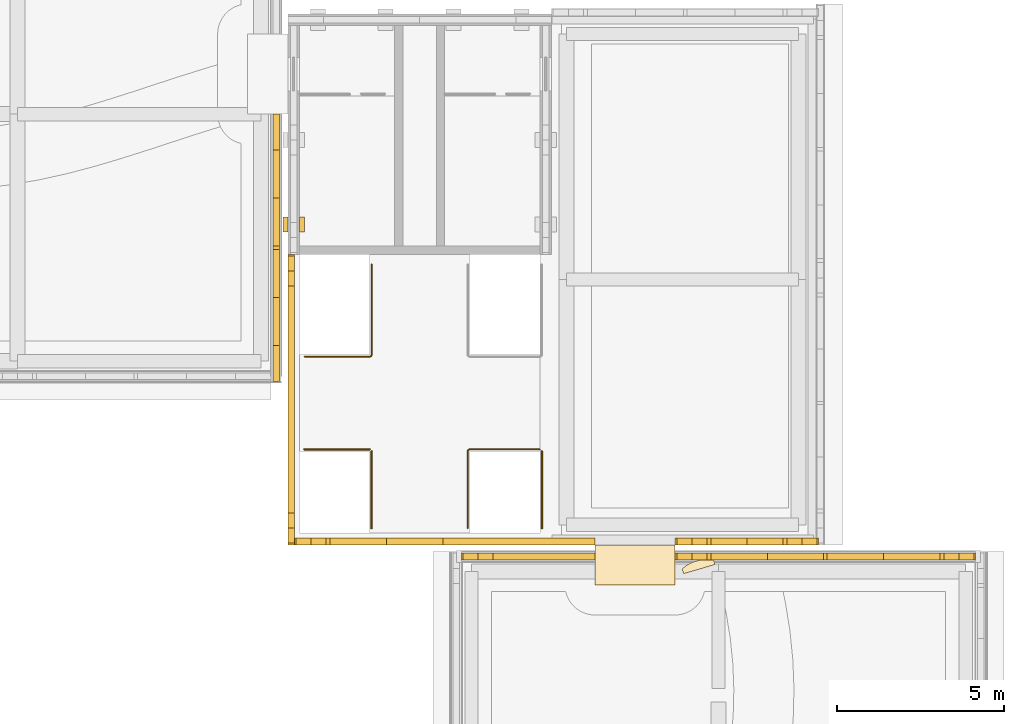
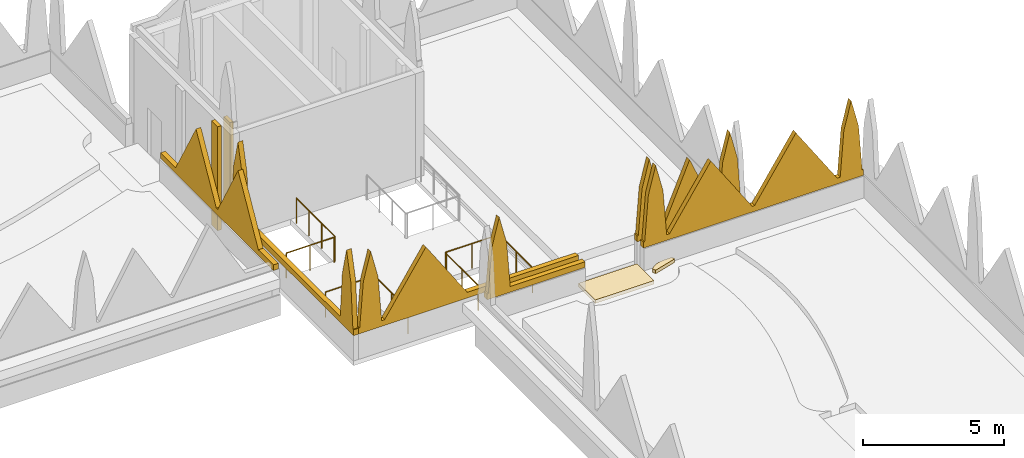
# One storey, part 42 of 46: 10 coverings, 5 railings.
"""IFC4 building model written with IfcOpenShell, lengths in metres."""

from ifc_helpers import new_model, si_unit, direction, frame, frame_2d, origin, origin_2d, place, context, subcontext, project, spatial, polyline, rectangle, circle, outline, extrude, material, layer, layer_set, type_object, element, save


model = new_model("IFC4")

# Units and contexts
model_context = context("Model", 3, precision=1e-05, world=origin(), true_north=direction((0.0, 1.0)))
body_context = subcontext(model_context, "Body", "Model", "MODEL_VIEW")
ifc_project = project(units=[si_unit("LENGTHUNIT", "METRE"), si_unit("AREAUNIT", "SQUARE_METRE"), si_unit("VOLUMEUNIT", "CUBIC_METRE"), si_unit("PLANEANGLEUNIT", "RADIAN"), si_unit("MASSUNIT", "GRAM", prefix="KILO")], contexts=[model_context])

# Site, building, storey
site_placement = place(None, origin())
site = spatial("IfcSite", under=ifc_project, at=site_placement, CompositionType="ELEMENT")
building_placement = place(site_placement, origin())
building = spatial("IfcBuilding", under=site, at=building_placement, Name="Lantern Court Media Centre", CompositionType="ELEMENT")
storey_placement = place(building_placement, frame((0.0, 0.0, 28.800048828125)))
storey = spatial("IfcBuildingStorey", under=building, at=storey_placement, Name="L06", CompositionType="ELEMENT", Elevation=28.800048828125)

# Railings
ifc_material_1 = material(Name="Powder-coated steel", Category="steel")
railing_type = type_object("IfcRailingType", Name="Floor edge guard 1100", PredefinedType="GUARDRAIL", material=ifc_material_1)
railing_1_placement = place(storey_placement, frame((80.60009765625, 101.739990234375, 0.0)))
element("IfcRailing", 1, at=railing_1_placement, inside=storey, type_object=railing_type, Name="L06 opening guard 163", PredefinedType="GUARDRAIL", context=body_context, shape_type="SweptSolid", body=[
    extrude(circle(Radius=0.02392578125, at=origin_2d()), frame((0.0, 0.0, 1.076171875), z_axis=(1.0, 0.0, 0.0), x_axis=(0.0, 1.0, 0.0)), (0.0, 0.0, 1.0), 1.949951171875),
    extrude(circle(Radius=0.02392578125, at=origin_2d()), frame((1.949951171875, 0.0, 1.076171875), z_axis=(0.999133073092, 0.041630544712, 0.0), x_axis=(-0.041630544712, 0.999133073092, 0.0)), (0.0, 0.0, 1.0), 0.005859375),
    extrude(circle(Radius=0.02392578125, at=origin_2d()), frame((1.955810546875, 0.000244140625, 1.076171875), z_axis=(0.986393923832, 0.164398987305, 0.0), x_axis=(-0.164398987305, 0.986393923832, 0.0)), (0.0, 0.0, 1.0), 0.005859375),
    extrude(circle(Radius=0.02392578125, at=origin_2d()), frame((1.961669921875, 0.001220703125, 1.076171875), z_axis=(0.967617272397, 0.252421897147, 0.0), x_axis=(-0.252421897147, 0.967617272397, 0.0)), (0.0, 0.0, 1.0), 0.005859375),
    extrude(circle(Radius=0.02392578125, at=origin_2d()), frame((1.96728515625, 0.002685546875, 1.076171875), z_axis=(0.944496796706, 0.328520624941, 0.0), x_axis=(-0.328520624941, 0.944496796706, 0.0)), (0.0, 0.0, 1.0), 0.005859375),
    extrude(circle(Radius=0.02392578125, at=origin_2d()), frame((1.972900390625, 0.004638671875, 1.076171875), z_axis=(0.910366477463, 0.413802944301, 0.0), x_axis=(-0.413802944301, 0.910366477463, 0.0)), (0.0, 0.0, 1.0), 0.005859375),
    extrude(circle(Radius=0.02392578125, at=origin_2d()), frame((1.978271484375, 0.007080078125, 1.076171875), z_axis=(0.857492925713, 0.514495755428, 0.0), x_axis=(-0.514495755428, 0.857492925713, 0.0)), (0.0, 0.0, 1.0), 0.005615234375),
    extrude(circle(Radius=0.02392578125, at=origin_2d()), frame((1.983154296875, 0.010009765625, 1.076171875), z_axis=(0.8, 0.6, 0.0), x_axis=(-0.6, 0.8, 0.0)), (0.0, 0.0, 1.0), 0.006103515625),
    extrude(circle(Radius=0.02392578125, at=origin_2d()), frame((1.988037109375, 0.013671875, 1.076171875), z_axis=(0.747409318684, 0.66436383883, 0.0), x_axis=(-0.66436383883, 0.747409318684, 0.0)), (0.0, 0.0, 1.0), 0.005859375),
    extrude(circle(Radius=0.02392578125, at=origin_2d()), frame((1.992431640625, 0.017578125, 1.076171875), z_axis=(0.66436383883, 0.747409318684, 0.0), x_axis=(-0.747409318684, 0.66436383883, 0.0)), (0.0, 0.0, 1.0), 0.005859375),
    extrude(circle(Radius=0.02392578125, at=origin_2d()), frame((1.996337890625, 0.02197265625, 1.076171875), z_axis=(0.59319903805, 0.805055837353, 0.0), x_axis=(-0.805055837353, 0.59319903805, 0.0)), (0.0, 0.0, 1.0), 0.005859375),
    extrude(circle(Radius=0.02392578125, at=origin_2d()), frame((1.999755859375, 0.026611328125, 1.076171875), z_axis=(0.526354614616, 0.850265146688, 0.0), x_axis=(-0.850265146688, 0.526354614616, 0.0)), (0.0, 0.0, 1.0), 0.006103515625),
    extrude(circle(Radius=0.02392578125, at=origin_2d()), frame((2.0029296875, 0.03173828125, 1.076171875), z_axis=(0.413802944301, 0.910366477463, 0.0), x_axis=(-0.910366477463, 0.413802944301, 0.0)), (0.0, 0.0, 1.0), 0.005859375),
    extrude(circle(Radius=0.02392578125, at=origin_2d()), frame((2.00537109375, 0.037109375, 1.076171875), z_axis=(0.341743063087, 0.939793423488, 0.0), x_axis=(-0.939793423488, 0.341743063087, 0.0)), (0.0, 0.0, 1.0), 0.005615234375),
    extrude(circle(Radius=0.02392578125, at=origin_2d()), frame((2.00732421875, 0.04248046875, 1.076171875), z_axis=(0.242535625036, 0.970142500145, 0.0), x_axis=(-0.970142500145, 0.242535625036, 0.0)), (0.0, 0.0, 1.0), 0.006103515625),
    extrude(circle(Radius=0.02392578125, at=origin_2d()), frame((2.0087890625, 0.04833984375, 1.076171875), z_axis=(0.124034734589, 0.992277876714, 0.0), x_axis=(-0.992277876714, 0.124034734589, 0.0)), (0.0, 0.0, 1.0), 0.005859375),
    extrude(circle(Radius=0.02392578125, at=origin_2d()), frame((2.009521484375, 0.05419921875, 1.076171875), z_axis=(0.083045479854, 0.996545758245, 0.0), x_axis=(-0.996545758245, 0.083045479854, 0.0)), (0.0, 0.0, 1.0), 0.005859375),
    extrude(circle(Radius=0.02392578125, at=origin_2d()), frame((2.010009765625, 0.06005859375, 1.076171875), z_axis=(0.0, 1.0, 0.0), x_axis=(-1.0, 0.0, 0.0)), (0.0, 0.0, 1.0), 2.699951171875),
    extrude(circle(Radius=0.02099609375, at=origin_2d()), origin(), (0.0, 0.0, 1.0), 1.052001953125),
    extrude(circle(Radius=0.02099609375, at=origin_2d()), frame((0.97509765625, 0.0, 0.0)), (0.0, 0.0, 1.0), 1.052001953125),
    extrude(circle(Radius=0.02099609375, at=origin_2d()), frame((1.949951171875, 0.0, 0.0)), (0.0, 0.0, 1.0), 1.052001953125),
    extrude(circle(Radius=0.02099609375, at=origin_2d()), frame((1.955810546875, 0.000244140625, 0.0)), (0.0, 0.0, 1.0), 1.052001953125),
    extrude(circle(Radius=0.02099609375, at=origin_2d()), frame((1.961669921875, 0.001220703125, 0.0)), (0.0, 0.0, 1.0), 1.052001953125),
    extrude(circle(Radius=0.02099609375, at=origin_2d()), frame((1.96728515625, 0.002685546875, 0.0)), (0.0, 0.0, 1.0), 1.052001953125),
    extrude(circle(Radius=0.02099609375, at=origin_2d()), frame((1.972900390625, 0.004638671875, 0.0)), (0.0, 0.0, 1.0), 1.052001953125),
    extrude(circle(Radius=0.02099609375, at=origin_2d()), frame((1.978271484375, 0.007080078125, 0.0)), (0.0, 0.0, 1.0), 1.052001953125),
    extrude(circle(Radius=0.02099609375, at=origin_2d()), frame((1.983154296875, 0.010009765625, 0.0)), (0.0, 0.0, 1.0), 1.052001953125),
    extrude(circle(Radius=0.02099609375, at=origin_2d()), frame((1.988037109375, 0.013671875, 0.0)), (0.0, 0.0, 1.0), 1.052001953125),
    extrude(circle(Radius=0.02099609375, at=origin_2d()), frame((1.992431640625, 0.017578125, 0.0)), (0.0, 0.0, 1.0), 1.052001953125),
    extrude(circle(Radius=0.02099609375, at=origin_2d()), frame((1.996337890625, 0.02197265625, 0.0)), (0.0, 0.0, 1.0), 1.052001953125),
    extrude(circle(Radius=0.02099609375, at=origin_2d()), frame((1.999755859375, 0.026611328125, 0.0)), (0.0, 0.0, 1.0), 1.052001953125),
    extrude(circle(Radius=0.02099609375, at=origin_2d()), frame((2.0029296875, 0.03173828125, 0.0)), (0.0, 0.0, 1.0), 1.052001953125),
    extrude(circle(Radius=0.02099609375, at=origin_2d()), frame((2.00537109375, 0.037109375, 0.0)), (0.0, 0.0, 1.0), 1.052001953125),
    extrude(circle(Radius=0.02099609375, at=origin_2d()), frame((2.00732421875, 0.04248046875, 0.0)), (0.0, 0.0, 1.0), 1.052001953125),
    extrude(circle(Radius=0.02099609375, at=origin_2d()), frame((2.0087890625, 0.04833984375, 0.0)), (0.0, 0.0, 1.0), 1.052001953125),
    extrude(circle(Radius=0.02099609375, at=origin_2d()), frame((2.009521484375, 0.05419921875, 0.0)), (0.0, 0.0, 1.0), 1.052001953125),
    extrude(circle(Radius=0.02099609375, at=origin_2d()), frame((2.010009765625, 0.06005859375, 0.0)), (0.0, 0.0, 1.0), 1.052001953125),
    extrude(circle(Radius=0.02099609375, at=origin_2d()), frame((2.010009765625, 0.9599609375, 0.0)), (0.0, 0.0, 1.0), 1.052001953125),
    extrude(circle(Radius=0.02099609375, at=origin_2d()), frame((2.010009765625, 1.860107421875, 0.0)), (0.0, 0.0, 1.0), 1.052001953125),
    extrude(circle(Radius=0.02099609375, at=origin_2d()), frame((2.010009765625, 2.760009765625, 0.0)), (0.0, 0.0, 1.0), 1.052001953125),
])
railing_2_placement = place(storey_placement, frame((87.64990234375, 98.9599609375, 0.0)))
element("IfcRailing", 2, at=railing_2_placement, inside=storey, type_object=railing_type, Name="L06 opening guard 164", PredefinedType="GUARDRAIL", context=body_context, shape_type="SweptSolid", body=[
    extrude(circle(Radius=0.02392578125, at=origin_2d()), frame((0.0, 0.0, 1.076171875), z_axis=(-1.0, 0.0, 0.0), x_axis=(0.0, -1.0, 0.0)), (0.0, 0.0, 1.0), 2.099853515625),
    extrude(circle(Radius=0.02392578125, at=origin_2d()), frame((-2.099853515625, 0.0, 1.076171875), z_axis=(-0.999133073092, -0.041630544712, 0.0), x_axis=(0.041630544712, -0.999133073092, 0.0)), (0.0, 0.0, 1.0), 0.005859375),
    extrude(circle(Radius=0.02392578125, at=origin_2d()), frame((-2.105712890625, -0.000244140625, 1.076171875), z_axis=(-0.986393923832, -0.164398987305, 0.0), x_axis=(0.164398987305, -0.986393923832, 0.0)), (0.0, 0.0, 1.0), 0.005859375),
    extrude(circle(Radius=0.02392578125, at=origin_2d()), frame((-2.111572265625, -0.001220703125, 1.076171875), z_axis=(-0.978980419738, -0.203954254112, 0.0), x_axis=(0.203954254112, -0.978980419738, 0.0)), (0.0, 0.0, 1.0), 0.006103515625),
    extrude(circle(Radius=0.02392578125, at=origin_2d()), frame((-2.117431640625, -0.00244140625, 1.076171875), z_axis=(-0.925546956206, -0.378632845721, 0.0), x_axis=(0.378632845721, -0.925546956206, 0.0)), (0.0, 0.0, 1.0), 0.005859375),
    extrude(circle(Radius=0.02392578125, at=origin_2d()), frame((-2.122802734375, -0.004638671875, 1.076171875), z_axis=(-0.910366477463, -0.413802944301, 0.0), x_axis=(0.413802944301, -0.910366477463, 0.0)), (0.0, 0.0, 1.0), 0.005859375),
    extrude(circle(Radius=0.02392578125, at=origin_2d()), frame((-2.128173828125, -0.007080078125, 1.076171875), z_axis=(-0.868243142124, -0.496138938357, 0.0), x_axis=(0.496138938357, -0.868243142124, 0.0)), (0.0, 0.0, 1.0), 0.005859375),
    extrude(circle(Radius=0.02392578125, at=origin_2d()), frame((-2.13330078125, -0.010009765625, 1.076171875), z_axis=(-0.784882765533, -0.619644288579, 0.0), x_axis=(0.619644288579, -0.784882765533, 0.0)), (0.0, 0.0, 1.0), 0.005859375),
    extrude(circle(Radius=0.02392578125, at=origin_2d()), frame((-2.137939453125, -0.013671875, 1.076171875), z_axis=(-0.747409318684, -0.66436383883, 0.0), x_axis=(0.66436383883, -0.747409318684, 0.0)), (0.0, 0.0, 1.0), 0.005859375),
    extrude(circle(Radius=0.02392578125, at=origin_2d()), frame((-2.142333984375, -0.017578125, 1.076171875), z_axis=(-0.66436383883, -0.747409318684, 0.0), x_axis=(0.747409318684, -0.66436383883, 0.0)), (0.0, 0.0, 1.0), 0.005859375),
    extrude(circle(Radius=0.02392578125, at=origin_2d()), frame((-2.146240234375, -0.02197265625, 1.076171875), z_axis=(-0.619644288579, -0.784882765533, 0.0), x_axis=(0.784882765533, -0.619644288579, 0.0)), (0.0, 0.0, 1.0), 0.005859375),
    extrude(circle(Radius=0.02392578125, at=origin_2d()), frame((-2.14990234375, -0.026611328125, 1.076171875), z_axis=(-0.496138938357, -0.868243142124, 0.0), x_axis=(0.868243142124, -0.496138938357, 0.0)), (0.0, 0.0, 1.0), 0.005859375),
    extrude(circle(Radius=0.02392578125, at=origin_2d()), frame((-2.15283203125, -0.03173828125, 1.076171875), z_axis=(-0.413802944301, -0.910366477463, 0.0), x_axis=(0.910366477463, -0.413802944301, 0.0)), (0.0, 0.0, 1.0), 0.005859375),
    extrude(circle(Radius=0.02392578125, at=origin_2d()), frame((-2.1552734375, -0.037109375, 1.076171875), z_axis=(-0.341743063087, -0.939793423488, 0.0), x_axis=(0.939793423488, -0.341743063087, 0.0)), (0.0, 0.0, 1.0), 0.005615234375),
    extrude(circle(Radius=0.02392578125, at=origin_2d()), frame((-2.1572265625, -0.04248046875, 1.076171875), z_axis=(-0.242535625036, -0.970142500145, 0.0), x_axis=(0.970142500145, -0.242535625036, 0.0)), (0.0, 0.0, 1.0), 0.006103515625),
    extrude(circle(Radius=0.02392578125, at=origin_2d()), frame((-2.15869140625, -0.04833984375, 1.076171875), z_axis=(-0.164398987305, -0.986393923832, 0.0), x_axis=(0.986393923832, -0.164398987305, 0.0)), (0.0, 0.0, 1.0), 0.005859375),
    extrude(circle(Radius=0.02392578125, at=origin_2d()), frame((-2.15966796875, -0.05419921875, 1.076171875), z_axis=(-0.041630544712, -0.999133073092, 0.0), x_axis=(0.999133073092, -0.041630544712, 0.0)), (0.0, 0.0, 1.0), 0.005859375),
    extrude(circle(Radius=0.02392578125, at=origin_2d()), frame((-2.159912109375, -0.06005859375, 1.076171875), z_axis=(0.0, -1.0, 0.0), x_axis=(1.0, 0.0, 0.0)), (0.0, 0.0, 1.0), 2.2998046875),
    extrude(circle(Radius=0.02099609375, at=origin_2d()), origin(), (0.0, 0.0, 1.0), 1.052001953125),
    extrude(circle(Radius=0.02099609375, at=origin_2d()), frame((-1.0498046875, 0.0, 0.0)), (0.0, 0.0, 1.0), 1.052001953125),
    extrude(circle(Radius=0.02099609375, at=origin_2d()), frame((-2.099853515625, 0.0, 0.0)), (0.0, 0.0, 1.0), 1.052001953125),
    extrude(circle(Radius=0.02099609375, at=origin_2d()), frame((-2.105712890625, -0.000244140625, 0.0)), (0.0, 0.0, 1.0), 1.052001953125),
    extrude(circle(Radius=0.02099609375, at=origin_2d()), frame((-2.111572265625, -0.001220703125, 0.0)), (0.0, 0.0, 1.0), 1.052001953125),
    extrude(circle(Radius=0.02099609375, at=origin_2d()), frame((-2.117431640625, -0.00244140625, 0.0)), (0.0, 0.0, 1.0), 1.052001953125),
    extrude(circle(Radius=0.02099609375, at=origin_2d()), frame((-2.122802734375, -0.004638671875, 0.0)), (0.0, 0.0, 1.0), 1.052001953125),
    extrude(circle(Radius=0.02099609375, at=origin_2d()), frame((-2.128173828125, -0.007080078125, 0.0)), (0.0, 0.0, 1.0), 1.052001953125),
    extrude(circle(Radius=0.02099609375, at=origin_2d()), frame((-2.13330078125, -0.010009765625, 0.0)), (0.0, 0.0, 1.0), 1.052001953125),
    extrude(circle(Radius=0.02099609375, at=origin_2d()), frame((-2.137939453125, -0.013671875, 0.0)), (0.0, 0.0, 1.0), 1.052001953125),
    extrude(circle(Radius=0.02099609375, at=origin_2d()), frame((-2.142333984375, -0.017578125, 0.0)), (0.0, 0.0, 1.0), 1.052001953125),
    extrude(circle(Radius=0.02099609375, at=origin_2d()), frame((-2.146240234375, -0.02197265625, 0.0)), (0.0, 0.0, 1.0), 1.052001953125),
    extrude(circle(Radius=0.02099609375, at=origin_2d()), frame((-2.14990234375, -0.026611328125, 0.0)), (0.0, 0.0, 1.0), 1.052001953125),
    extrude(circle(Radius=0.02099609375, at=origin_2d()), frame((-2.15283203125, -0.03173828125, 0.0)), (0.0, 0.0, 1.0), 1.052001953125),
    extrude(circle(Radius=0.02099609375, at=origin_2d()), frame((-2.1552734375, -0.037109375, 0.0)), (0.0, 0.0, 1.0), 1.052001953125),
    extrude(circle(Radius=0.02099609375, at=origin_2d()), frame((-2.1572265625, -0.04248046875, 0.0)), (0.0, 0.0, 1.0), 1.052001953125),
    extrude(circle(Radius=0.02099609375, at=origin_2d()), frame((-2.15869140625, -0.04833984375, 0.0)), (0.0, 0.0, 1.0), 1.052001953125),
    extrude(circle(Radius=0.02099609375, at=origin_2d()), frame((-2.15966796875, -0.05419921875, 0.0)), (0.0, 0.0, 1.0), 1.052001953125),
    extrude(circle(Radius=0.02099609375, at=origin_2d()), frame((-2.159912109375, -0.06005859375, 0.0)), (0.0, 0.0, 1.0), 1.052001953125),
    extrude(circle(Radius=0.02099609375, at=origin_2d()), frame((-2.159912109375, -1.2099609375, 0.0)), (0.0, 0.0, 1.0), 1.052001953125),
    extrude(circle(Radius=0.02099609375, at=origin_2d()), frame((-2.159912109375, -2.35986328125, 0.0)), (0.0, 0.0, 1.0), 1.052001953125),
])
railing_3_placement = place(storey_placement, frame((87.7099609375, 96.60009765625, 0.0)))
element("IfcRailing", 3, at=railing_3_placement, inside=storey, type_object=railing_type, Name="L06 opening guard 165", PredefinedType="GUARDRAIL", context=body_context, shape_type="SweptSolid", body=[
    extrude(circle(Radius=0.02392578125, at=origin_2d()), frame((0.0, 0.0, 1.076171875), z_axis=(0.0, 1.0, 0.0), x_axis=(-1.0, 0.0, 0.0)), (0.0, 0.0, 1.0), 2.2998046875),
    extrude(circle(Radius=0.02099609375, at=origin_2d()), origin(), (0.0, 0.0, 1.0), 1.052001953125),
    extrude(circle(Radius=0.02099609375, at=origin_2d()), frame((0.0, 1.14990234375, 0.0)), (0.0, 0.0, 1.0), 1.052001953125),
    extrude(circle(Radius=0.02099609375, at=origin_2d()), frame((0.0, 2.2998046875, 0.0)), (0.0, 0.0, 1.0), 1.052001953125),
])
railing_4_placement = place(storey_placement, frame((82.550048828125, 98.9599609375, 0.0)))
element("IfcRailing", 4, at=railing_4_placement, inside=storey, type_object=railing_type, Name="L06 opening guard 166", PredefinedType="GUARDRAIL", context=body_context, shape_type="SweptSolid", body=[
    extrude(circle(Radius=0.02392578125, at=origin_2d()), frame((0.0, 0.0, 1.076171875), z_axis=(-1.0, 0.0, 0.0), x_axis=(0.0, -1.0, 0.0)), (0.0, 0.0, 1.0), 1.949951171875),
    extrude(circle(Radius=0.02099609375, at=origin_2d()), origin(), (0.0, 0.0, 1.0), 1.052001953125),
    extrude(circle(Radius=0.02099609375, at=origin_2d()), frame((-0.97509765625, 0.0, 0.0)), (0.0, 0.0, 1.0), 1.052001953125),
    extrude(circle(Radius=0.02099609375, at=origin_2d()), frame((-1.949951171875, 0.0, 0.0)), (0.0, 0.0, 1.0), 1.052001953125),
])
railing_5_placement = place(storey_placement, frame((82.610107421875, 96.60009765625, 0.0)))
element("IfcRailing", 5, at=railing_5_placement, inside=storey, type_object=railing_type, Name="L06 opening guard 167", PredefinedType="GUARDRAIL", context=body_context, shape_type="SweptSolid", body=[
    extrude(circle(Radius=0.02392578125, at=origin_2d()), frame((0.0, 0.0, 1.076171875), z_axis=(0.0, 1.0, 0.0), x_axis=(-1.0, 0.0, 0.0)), (0.0, 0.0, 1.0), 2.2998046875),
    extrude(circle(Radius=0.02099609375, at=origin_2d()), origin(), (0.0, 0.0, 1.0), 1.052001953125),
    extrude(circle(Radius=0.02099609375, at=origin_2d()), frame((0.0, 1.14990234375, 0.0)), (0.0, 0.0, 1.0), 1.052001953125),
    extrude(circle(Radius=0.02099609375, at=origin_2d()), frame((0.0, 2.2998046875, 0.0)), (0.0, 0.0, 1.0), 1.052001953125),
])

# Coverings
ifc_material_2 = material(Name="Honed limestone cladding on blockwork", Category="masonry")
ifc_layer_1 = layer(ifc_material_2, 0.199951171875)
ifc_layer_set_1 = layer_set([ifc_layer_1], Name="Honed limestone cladding on blockwork")
covering_type_1 = type_object("IfcCoveringType", Name="Limestone cresting 200", PredefinedType="CLADDING", material=ifc_layer_set_1)
covering_1_placement = place(storey_placement, frame((79.75, 101.0, 1.099853515625), z_axis=(0.0, 0.0, 1.0), x_axis=(0.0, 1.0, 0.0)))
element("IfcCovering", 6, at=covering_1_placement, inside=storey, type_object=covering_type_1, Name="Parapet cresting", PredefinedType="CLADDING", context=body_context, shape_type="SweptSolid", body=[
    extrude(outline(polyline([(0.0, 0.0), (8.0, 0.0), (8.0, 0.25), (6.929931640625, 0.25), (5.489990234375, 2.800048828125), (4.050048828125, 0.25), (3.949951171875, 0.25), (2.510009765625, 2.800048828125), (1.070068359375, 0.25), (0.0, 0.25), (0.0, 0.0)])), frame((0.0, 0.10009765625, 0.0), z_axis=(0.0, -1.0, 0.0), x_axis=(1.0, 0.0, 0.0)), (0.0, 0.0, 1.0), 0.199951171875),
])
covering_2_placement = place(storey_placement, frame((85.300048828125, 95.75, 1.099853515625), z_axis=(0.0, 0.0, 1.0), x_axis=(1.0, 0.0, 0.0)))
element("IfcCovering", 7, at=covering_2_placement, inside=storey, type_object=covering_type_1, Name="Parapet cresting", PredefinedType="CLADDING", context=body_context, shape_type="SweptSolid", body=[
    extrude(outline(polyline([(0.0, 0.0), (4.0, 0.0), (4.0, 0.25), (0.949951171875, 0.25), (0.800048828125, 2.210205078125), (0.5, 3.400146484375), (0.199951171875, 2.210205078125), (0.050048828125, 0.25), (0.0, 0.25), (0.0, 0.0)])), frame((0.0, 0.10009765625, 0.0), z_axis=(0.0, -1.0, 0.0), x_axis=(1.0, 0.0, 0.0)), (0.0, 0.0, 1.0), 0.199951171875),
])
covering_3_placement = place(storey_placement, frame((91.699951171875, 95.75, 1.099853515625), z_axis=(0.0, 0.0, 1.0), x_axis=(1.0, 0.0, 0.0)))
element("IfcCovering", 8, at=covering_3_placement, inside=storey, type_object=covering_type_1, Name="Parapet cresting", PredefinedType="CLADDING", context=body_context, shape_type="SweptSolid", body=[
    extrude(outline(polyline([(0.0, 0.0), (9.0, 0.0), (9.0, 0.25), (8.949951171875, 0.25), (8.800048828125, 2.210205078125), (8.5, 3.400146484375), (8.199951171875, 2.210205078125), (8.050048828125, 0.25), (7.929931640625, 0.25), (6.239990234375, 2.800048828125), (4.550048828125, 0.25), (4.449951171875, 0.25), (2.760009765625, 2.800048828125), (1.070068359375, 0.25), (0.949951171875, 0.25), (0.800048828125, 2.210205078125), (0.5, 3.400146484375), (0.199951171875, 2.210205078125), (0.050048828125, 0.25), (0.0, 0.25), (0.0, 0.0)])), frame((0.0, 0.10009765625, 0.0), z_axis=(0.0, -1.0, 0.0), x_axis=(1.0, 0.0, 0.0)), (0.0, 0.0, 1.0), 0.199951171875),
])
covering_4_placement = place(storey_placement, frame((80.199951171875, 96.10009765625, 1.099853515625), z_axis=(0.0, 0.0, 1.0), x_axis=(0.0, 1.0, 0.0)))
element("IfcCovering", 9, at=covering_4_placement, inside=storey, type_object=covering_type_1, Name="Parapet cresting", PredefinedType="CLADDING", context=body_context, shape_type="SweptSolid", body=[
    extrude(outline(polyline([(0.0, 0.0), (8.699951171875, 0.0), (8.699951171875, 0.25), (8.64990234375, 0.25), (8.5, 2.210205078125), (8.199951171875, 3.400146484375), (7.89990234375, 2.210205078125), (7.75, 0.25), (0.949951171875, 0.25), (0.800048828125, 2.210205078125), (0.5, 3.400146484375), (0.199951171875, 2.210205078125), (0.050048828125, 0.25), (0.0, 0.25), (0.0, 0.0)])), frame((0.0, 0.10009765625, 0.0), z_axis=(0.0, -1.0, 0.0), x_axis=(1.0, 0.0, 0.0)), (0.0, 0.0, 1.0), 0.199951171875),
])
covering_5_placement = place(storey_placement, frame((80.300048828125, 96.199951171875, 1.099853515625), z_axis=(0.0, 0.0, 1.0), x_axis=(1.0, 0.0, 0.0)))
element("IfcCovering", 10, at=covering_5_placement, inside=storey, type_object=covering_type_1, Name="Parapet cresting", PredefinedType="CLADDING", context=body_context, shape_type="SweptSolid", body=[
    extrude(outline(polyline([(0.0, 0.0), (9.0, 0.0), (9.0, 0.25), (4.449951171875, 0.25), (2.760009765625, 2.800048828125), (1.070068359375, 0.25), (0.949951171875, 0.25), (0.800048828125, 2.210205078125), (0.5, 3.400146484375), (0.199951171875, 2.210205078125), (0.050048828125, 0.25), (0.0, 0.25), (0.0, 0.0)])), frame((0.0, 0.10009765625, 0.0), z_axis=(0.0, -1.0, 0.0), x_axis=(1.0, 0.0, 0.0)), (0.0, 0.0, 1.0), 0.199951171875),
])
covering_6_placement = place(storey_placement, frame((91.699951171875, 96.199951171875, 1.099853515625), z_axis=(0.0, 0.0, 1.0), x_axis=(1.0, 0.0, 0.0)))
element("IfcCovering", 11, at=covering_6_placement, inside=storey, type_object=covering_type_1, Name="Parapet cresting", PredefinedType="CLADDING", context=body_context, shape_type="SweptSolid", body=[
    extrude(outline(polyline([(0.0, 0.0), (4.300048828125, 0.0), (4.300048828125, 0.25), (4.25, 0.25), (4.10009765625, 2.210205078125), (3.800048828125, 3.400146484375), (3.5, 2.210205078125), (3.35009765625, 0.25), (3.22998046875, 0.25), (2.14990234375, 2.800048828125), (1.070068359375, 0.25), (0.949951171875, 0.25), (0.800048828125, 2.210205078125), (0.5, 3.400146484375), (0.199951171875, 2.210205078125), (0.050048828125, 0.25), (0.0, 0.25), (0.0, 0.0)])), frame((0.0, 0.10009765625, 0.0), z_axis=(0.0, -1.0, 0.0), x_axis=(1.0, 0.0, 0.0)), (0.0, 0.0, 1.0), 0.199951171875),
])
ifc_material_3 = material(Name="Honed limestone cladding", Category="masonry")
ifc_layer_2 = layer(ifc_material_3, 0.14990234375)
ifc_layer_set_2 = layer_set([ifc_layer_2], Name="Honed limestone cladding")
covering_type_2 = type_object("IfcCoveringType", Name="Limestone pilaster cladding 150", PredefinedType="CLADDING", material=ifc_layer_set_2)
for number, where, z_axis, x_axis, name in (
    (12, (80.52490234375, 105.925048828125, 0.0), (0.0, 0.0, 1.0), (0.0, -1.0, 0.0), "Limestone pilaster rib"),
    (13, (80.02490234375, 105.925048828125, 0.0), (0.0, 0.0, 1.0), (0.0, -1.0, 0.0), "Limestone pilaster rib"),
):
    element("IfcCovering", number, at=place(storey_placement, frame(where, z_axis=z_axis, x_axis=x_axis)), inside=storey, type_object=covering_type_2, Name=name, PredefinedType="CLADDING", context=body_context, shape_type="SweptSolid", body=[
        extrude(rectangle(XDim=0.449951171875, YDim=0.14990234375, at=frame_2d((0.22509765625, 0.0))), origin(), (0.0, 0.0, 1.0), 4.5),
    ])
ifc_material_4 = material(Name="Limestone paving slab", Category="masonry")
ifc_layer_3 = layer(ifc_material_4, 0.14990234375)
ifc_layer_set_3 = layer_set([ifc_layer_3], Name="Limestone paving slab")
covering_type_3 = type_object("IfcCoveringType", Name="Roof walkway pavers 150", PredefinedType="FLOORING", material=ifc_layer_set_3)
covering_7_placement = place(storey_placement, frame((0.0, 0.0, 0.14990234375)))
element("IfcCovering", 14, at=covering_7_placement, inside=storey, type_object=covering_type_3, Name="Roof garden path E", PredefinedType="FLOORING", context=body_context, shape_type="SweptSolid", body=[
    extrude(outline(polyline([(92.291015625, 95.60595703125), (92.384033203125, 95.6298828125), (92.47998046875, 95.64501953125), (92.576904296875, 95.64990234375), (92.85302734375, 95.64990234375), (92.89306640625, 95.511962890625), (91.9541015625, 95.236083984375), (91.912109375, 95.376953125), (91.955078125, 95.41796875), (92.031005859375, 95.47802734375), (92.113037109375, 95.529052734375), (92.199951171875, 95.572021484375), (92.291015625, 95.60595703125)])), origin(), (0.0, 0.0, 1.0), 0.150146484375),
])
covering_8_placement = place(storey_placement, origin())
element("IfcCovering", 15, at=covering_8_placement, inside=storey, type_object=covering_type_3, Name="Roof walkway E-NE", PredefinedType="FLOORING", context=body_context, shape_type="SweptSolid", body=[
    extrude(outline(polyline([(89.300048828125, 94.89990234375), (89.300048828125, 96.10009765625), (91.699951171875, 96.10009765625), (91.699951171875, 94.89990234375), (89.300048828125, 94.89990234375)])), origin(), (0.0, 0.0, 1.0), 0.14990234375),
])

save(model, "model.ifc")
